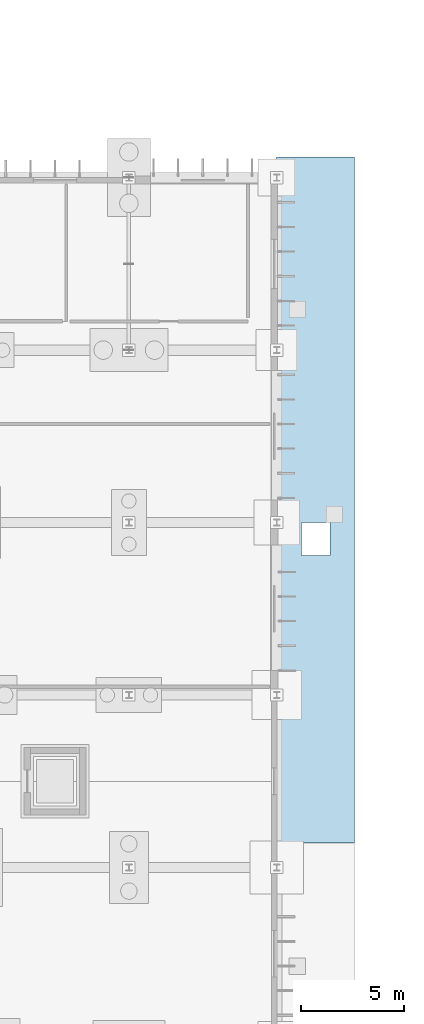
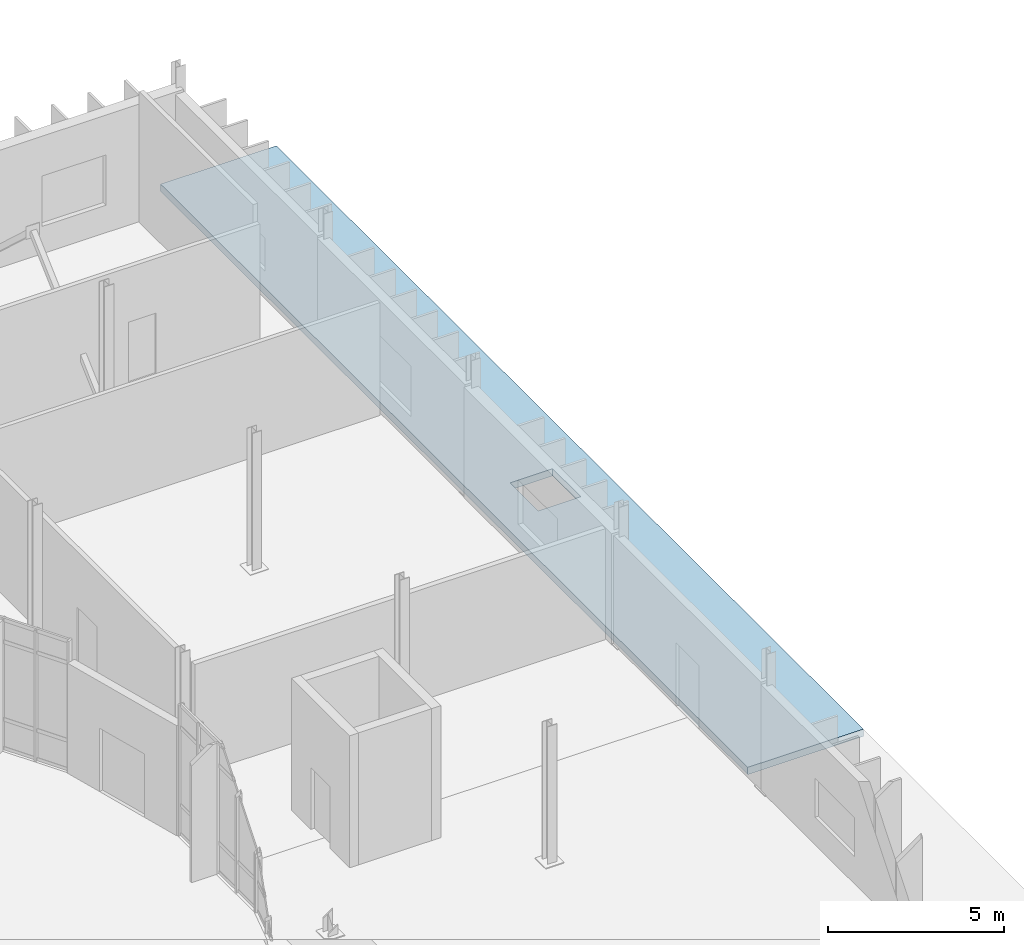
# One storey, part 71 of 118: 1 slab.
"""IFC4 building model written with IfcOpenShell, lengths in metres."""

from ifc_helpers import new_model, si_unit, direction, frame, origin, place, context, subcontext, project, spatial, polyline, outline, extrude, material, layer, layer_set, type_object, element, save


model = new_model("IFC4")

# Units and contexts
model_context = context("Model", 3, precision=1e-05, world=origin(), true_north=direction((0.0, 1.0)))
body_context = subcontext(model_context, "Body", "Model", "MODEL_VIEW")
ifc_project = project(units=[si_unit("LENGTHUNIT", "METRE"), si_unit("AREAUNIT", "SQUARE_METRE"), si_unit("VOLUMEUNIT", "CUBIC_METRE"), si_unit("PLANEANGLEUNIT", "RADIAN"), si_unit("MASSUNIT", "GRAM", prefix="KILO")], contexts=[model_context])

# Site, building, storey
site_placement = place(None, origin())
site = spatial("IfcSite", under=ifc_project, at=site_placement, CompositionType="ELEMENT")
building_placement = place(site_placement, origin())
building = spatial("IfcBuilding", under=site, at=building_placement, Name="Qelthora Terrace Specialist Clinic", CompositionType="ELEMENT")
storey_placement = place(building_placement, origin())
storey = spatial("IfcBuildingStorey", under=building, at=storey_placement, Name="L00", CompositionType="ELEMENT", Elevation=0.0)

# Slab
ifc_material = material(Name="Concrete C30/37", Category="concrete")
ifc_layer = layer(ifc_material, 0.25)
ifc_layer_set = layer_set([ifc_layer], Name="Concrete C30/37")
slab_type = type_object("IfcSlabType", Name="SLB-TERR-250-C30", PredefinedType="FLOOR", material=ifc_layer_set)
slab_placement = place(storey_placement, frame((0.0, 0.0, -0.25)))
element("IfcSlab", 1, at=slab_placement, inside=storey, type_object=slab_type, Name="L00 V1 slab SLB-L00-EXTE2", PredefinedType="FLOOR", context=body_context, shape_type="SweptSolid", body=[
    extrude(outline(polyline([(158.39990234375, 60.0), (158.39990234375, 93.39990234375), (162.199951171875, 93.39990234375), (162.199951171875, 60.0), (158.39990234375, 60.0)]), holes=[polyline([(159.60009765625, 74.0), (161.0, 74.0), (161.0, 75.60009765625), (159.60009765625, 75.60009765625), (159.60009765625, 74.0)])]), origin(), (0.0, 0.0, 1.0), 0.25),
])

save(model, "model.ifc")
